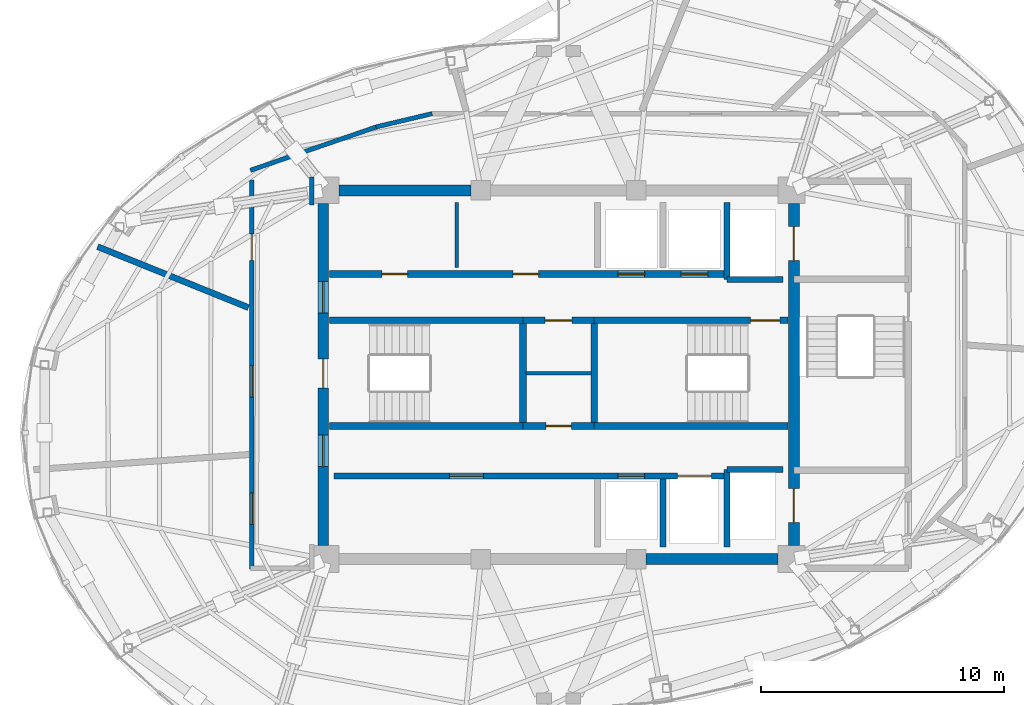
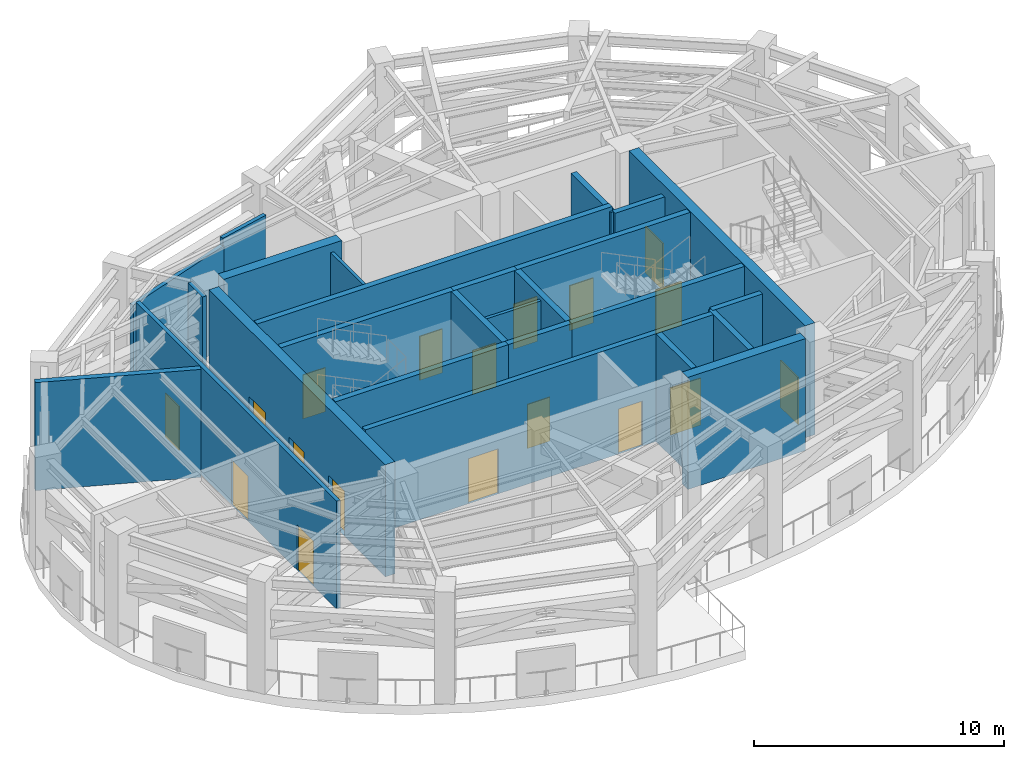
# One storey, part 7 of 12: 26 walls, 18 doors, 18 openings.
"""IFC4 building model written with IfcOpenShell, lengths in metres."""

from ifc_helpers import new_model, si_unit, direction, frame, frame_2d, origin, place, context, subcontext, project, spatial, rectangle, extrude, material, layer, layer_set, type_object, element, fill, save


model = new_model("IFC4")

# Units and contexts
model_context = context("Model", 3, precision=1e-05, world=origin(), true_north=direction((0.0, 1.0)))
body_context = subcontext(model_context, "Body", "Model", "MODEL_VIEW")
ifc_project = project(units=[si_unit("LENGTHUNIT", "METRE"), si_unit("AREAUNIT", "SQUARE_METRE"), si_unit("VOLUMEUNIT", "CUBIC_METRE"), si_unit("PLANEANGLEUNIT", "RADIAN"), si_unit("MASSUNIT", "GRAM", prefix="KILO")], contexts=[model_context])

# Site, building, storey
site_placement = place(None, origin())
site = spatial("IfcSite", under=ifc_project, at=site_placement, CompositionType="ELEMENT")
building_placement = place(site_placement, origin())
building = spatial("IfcBuilding", under=site, at=building_placement, Name="Lazwardi Medical Tower", CompositionType="ELEMENT")
storey_placement = place(building_placement, frame((0.0, 0.0, 245.904052734375)))
storey = spatial("IfcBuildingStorey", under=building, at=storey_placement, Name="L64", CompositionType="ELEMENT", Elevation=245.904052734375)

# Walls
ifc_material_1 = material(Name="Fire-rated gypsum board on steel stud", Category="steel")
ifc_layer_1 = layer(ifc_material_1, 0.179931640625)
ifc_layer_set_1 = layer_set([ifc_layer_1], Name="Fire-rated gypsum board on steel stud")
wall_type_1 = type_object("IfcWallType", Name="WL-COR-180", PredefinedType="PARTITIONING", material=ifc_layer_set_1)
wall_1_placement = place(storey_placement, frame((23.294189453125, 36.422119140625, 0.0), z_axis=(0.0, 0.0, 1.0), x_axis=(0.945493277461, 0.325641616316, 0.0)))
element("IfcWall", 1, at=wall_1_placement, inside=storey, type_object=wall_type_1, Name="L64 Corridor partition 1", PredefinedType="PARTITIONING", context=body_context, shape_type="SweptSolid", body=[
    extrude(rectangle(XDim=5.5615234375, YDim=0.179931640625, at=frame_2d((2.78076171875, 0.0))), origin(), (0.0, 0.0, 1.0), 4.89697265625),
])
wall_2_placement = place(storey_placement, frame((28.475830078125, 38.2109375, 0.0), z_axis=(0.0, 0.0, 1.0), x_axis=(0.973030562203, 0.230676234189, 0.0)))
element("IfcWall", 2, at=wall_2_placement, inside=storey, type_object=wall_type_1, Name="L64 Corridor partition 2", PredefinedType="PARTITIONING", context=body_context, shape_type="SweptSolid", body=[
    extrude(rectangle(XDim=2.377197265625, YDim=0.179931640625, at=frame_2d((1.1884765625, 0.0))), origin(), (0.0, 0.0, 1.0), 5.27197265625),
])
wall_3_placement = place(storey_placement, frame((25.830078125, 36.139892578125, 0.0), z_axis=(0.0, 0.0, 1.0), x_axis=(0.0, -1.0, 0.0)))
element("IfcWall", 3, at=wall_3_placement, inside=storey, type_object=wall_type_1, Name="L64 Corridor partition 7", PredefinedType="PARTITIONING", context=body_context, shape_type="SweptSolid", body=[
    extrude(rectangle(XDim=1.14990234375, YDim=0.179931640625, at=frame_2d((0.574951171875, 0.0))), origin(), (0.0, 0.0, 1.0), 5.27197265625),
])

# Wall, openings, doors
wall_4_placement = place(storey_placement, frame((23.35009765625, 19.97998046875, 0.0), z_axis=(0.0, 0.0, 1.0), x_axis=(0.0, 1.0, 0.0)))
wall_4 = element("IfcWall", 4, at=wall_4_placement, inside=storey, type_object=wall_type_1, Name="L64 Corridor partition 10", PredefinedType="PARTITIONING", context=body_context, shape_type="SweptSolid", body=[
    extrude(rectangle(XDim=16.04248046875, YDim=0.179931640625, at=frame_2d((8.021240234375, 0.0))), origin(), (0.0, 0.0, 1.0), 5.27197265625),
])
opening_1_placement = place(wall_4_placement, frame((1.848388671875, 0.0, 0.0)))
opening_1 = element("IfcOpeningElement", 5, at=opening_1_placement, cuts=wall_4, Name="Opening D-L64-010", PredefinedType="OPENING", context=body_context, shape_type="SweptSolid", body=[
    extrude(rectangle(XDim=1.300048828125, YDim=2.199951171875, at=frame_2d((0.64990234375, 1.10009765625))), frame((0.0, 0.099853515625, 0.0), z_axis=(0.0, -1.0, 0.0), x_axis=(1.0, 0.0, 0.0)), (0.0, 0.0, 1.0), 0.199951171875),
])
opening_2_placement = place(wall_4_placement, frame((12.727294921875, 0.0, 0.0)))
opening_2 = element("IfcOpeningElement", 6, at=opening_2_placement, cuts=wall_4, Name="Opening D-L64-016", PredefinedType="OPENING", context=body_context, shape_type="SweptSolid", body=[
    extrude(rectangle(XDim=1.10009765625, YDim=2.14990234375, at=frame_2d((0.550048828125, 1.074951171875))), frame((0.0, 0.099853515625, 0.0), z_axis=(0.0, -1.0, 0.0), x_axis=(1.0, 0.0, 0.0)), (0.0, 0.0, 1.0), 0.199951171875),
])
opening_3_placement = place(wall_4_placement, frame((7.09423828125, 0.0, 0.0)))
opening_3 = element("IfcOpeningElement", 7, at=opening_3_placement, cuts=wall_4, Name="Opening D-L64-017", PredefinedType="OPENING", context=body_context, shape_type="SweptSolid", body=[
    extrude(rectangle(XDim=1.300048828125, YDim=2.199951171875, at=frame_2d((0.64990234375, 1.10009765625))), frame((0.0, 0.099853515625, 0.0), z_axis=(0.0, -1.0, 0.0), x_axis=(1.0, 0.0, 0.0)), (0.0, 0.0, 1.0), 0.199951171875),
])
ifc_material_2 = material(Name="Fire-rated steel leaf and frame", Category="steel")
door_type_1 = type_object("IfcDoorType", Name="DR-FFL-1300", OperationType="NOTDEFINED", PredefinedType="DOOR", material=ifc_material_2)
door_1_placement = place(opening_1_placement, origin())
door_1 = element("IfcDoor", 8, at=door_1_placement, inside=storey, type_object=door_type_1, Name="L64 Area of Refuge Door 01", OperationType="SINGLE_SWING_RIGHT", OverallHeight=2.199951171875, OverallWidth=1.300048828125, PredefinedType="DOOR", context=body_context, shape_type="SweptSolid", body=[
    extrude(rectangle(XDim=1.300048828125, YDim=2.199951171875, at=frame_2d((0.64990234375, 1.10009765625))), frame((0.0, 0.02490234375, 0.0), z_axis=(0.0, -1.0, 0.0), x_axis=(1.0, 0.0, 0.0)), (0.0, 0.0, 1.0), 0.050048828125),
])
fill(opening_1, door_1)
door_2_placement = place(opening_3_placement, origin())
door_2 = element("IfcDoor", 9, at=door_2_placement, inside=storey, type_object=door_type_1, Name="L64 Area of Refuge Door 08", OperationType="SINGLE_SWING_LEFT", OverallHeight=2.199951171875, OverallWidth=1.300048828125, PredefinedType="DOOR", context=body_context, shape_type="SweptSolid", body=[
    extrude(rectangle(XDim=1.300048828125, YDim=2.199951171875, at=frame_2d((0.64990234375, 1.10009765625))), frame((0.0, 0.02490234375, 0.0), z_axis=(0.0, -1.0, 0.0), x_axis=(1.0, 0.0, 0.0)), (0.0, 0.0, 1.0), 0.050048828125),
])
fill(opening_3, door_2)
door_type_2 = type_object("IfcDoorType", Name="DR-PLT-1100", OperationType="NOTDEFINED", PredefinedType="DOOR", material=ifc_material_2)
door_3_placement = place(opening_2_placement, origin())
door_3 = element("IfcDoor", 10, at=door_3_placement, inside=storey, type_object=door_type_2, Name="L64 Electrical Switchroom Door 07", OperationType="SINGLE_SWING_RIGHT", OverallHeight=2.14990234375, OverallWidth=1.10009765625, PredefinedType="DOOR", context=body_context, shape_type="SweptSolid", body=[
    extrude(rectangle(XDim=1.10009765625, YDim=2.14990234375, at=frame_2d((0.550048828125, 1.074951171875))), frame((0.0, 0.02490234375, 0.0), z_axis=(0.0, -1.0, 0.0), x_axis=(1.0, 0.0, 0.0)), (0.0, 0.0, 1.0), 0.050048828125),
])
fill(opening_2, door_3)

ifc_material_3 = material(Name="Concrete C60/75", Category="concrete")
ifc_layer_2 = layer(ifc_material_3, 0.449951171875)
ifc_layer_set_2 = layer_set([ifc_layer_2], Name="Concrete C60/75")
wall_type_2 = type_object("IfcWallType", Name="WL-CORE-450", PredefinedType="SHEAR", material=ifc_layer_set_2)
wall_5_placement = place(storey_placement, frame((26.300048828125, 20.949951171875, 0.0), z_axis=(0.0, 0.0, 1.0), x_axis=(0.0, 1.0, 0.0)))
wall_5 = element("IfcWall", 11, at=wall_5_placement, inside=storey, type_object=wall_type_2, Name="Core wall CW-S4 west L64", PredefinedType="SHEAR", context=body_context, shape_type="SweptSolid", body=[
    extrude(rectangle(XDim=14.10009765625, YDim=0.449951171875, at=frame_2d((7.050048828125, 0.0))), origin(), (0.0, 0.0, 1.0), 5.471923828125),
])
opening_4_placement = place(wall_5_placement, frame((6.5, 0.0, 0.0)))
opening_4 = element("IfcOpeningElement", 12, at=opening_4_placement, cuts=wall_5, Name="Opening D-L64-018", PredefinedType="OPENING", context=body_context, shape_type="SweptSolid", body=[
    extrude(rectangle(XDim=1.199951171875, YDim=2.14990234375, at=frame_2d((0.60009765625, 1.074951171875))), frame((0.0, 0.23486328125, 0.0), z_axis=(0.0, -1.0, 0.0), x_axis=(1.0, 0.0, 0.0)), (0.0, 0.0, 1.0), 0.469970703125),
])
opening_5_placement = place(wall_5_placement, frame((9.60009765625, 0.0, 0.0)))
opening_5 = element("IfcOpeningElement", 13, at=opening_5_placement, cuts=wall_5, Name="Opening D-L64-008", PredefinedType="OPENING", context=body_context, shape_type="SweptSolid", body=[
    extrude(rectangle(XDim=1.300048828125, YDim=2.199951171875, at=frame_2d((0.64990234375, 1.10009765625))), frame((0.0, 0.23486328125, 0.0), z_axis=(0.0, -1.0, 0.0), x_axis=(1.0, 0.0, 0.0)), (0.0, 0.0, 1.0), 0.469970703125),
])
opening_6_placement = place(wall_5_placement, frame((3.260009765625, 0.0, 0.0)))
opening_6 = element("IfcOpeningElement", 14, at=opening_6_placement, cuts=wall_5, Name="Opening D-L64-009", PredefinedType="OPENING", context=body_context, shape_type="SweptSolid", body=[
    extrude(rectangle(XDim=1.300048828125, YDim=2.199951171875, at=frame_2d((0.64990234375, 1.10009765625))), frame((0.0, 0.23486328125, 0.0), z_axis=(0.0, -1.0, 0.0), x_axis=(1.0, 0.0, 0.0)), (0.0, 0.0, 1.0), 0.469970703125),
])
door_4_placement = place(opening_5_placement, origin())
door_4 = element("IfcDoor", 15, at=door_4_placement, inside=storey, type_object=door_type_1, Name="L64 North Lift Lobby Door", OperationType="SINGLE_SWING_RIGHT", OverallHeight=2.199951171875, OverallWidth=1.300048828125, PredefinedType="DOOR", context=body_context, shape_type="SweptSolid", body=[
    extrude(rectangle(XDim=1.300048828125, YDim=2.199951171875, at=frame_2d((0.64990234375, 1.10009765625))), frame((0.0, 0.02490234375, 0.0), z_axis=(0.0, -1.0, 0.0), x_axis=(1.0, 0.0, 0.0)), (0.0, 0.0, 1.0), 0.050048828125),
])
fill(opening_5, door_4)
door_5_placement = place(opening_6_placement, origin())
door_5 = element("IfcDoor", 16, at=door_5_placement, inside=storey, type_object=door_type_1, Name="L64 South Lift Lobby Door", OperationType="SINGLE_SWING_LEFT", OverallHeight=2.199951171875, OverallWidth=1.300048828125, PredefinedType="DOOR", context=body_context, shape_type="SweptSolid", body=[
    extrude(rectangle(XDim=1.300048828125, YDim=2.199951171875, at=frame_2d((0.64990234375, 1.10009765625))), frame((0.0, 0.02490234375, 0.0), z_axis=(0.0, -1.0, 0.0), x_axis=(1.0, 0.0, 0.0)), (0.0, 0.0, 1.0), 0.050048828125),
])
fill(opening_6, door_5)
door_type_3 = type_object("IfcDoorType", Name="DR-STR-1200", OperationType="NOTDEFINED", PredefinedType="DOOR", material=ifc_material_2)
door_6_placement = place(opening_4_placement, origin())
door_6 = element("IfcDoor", 17, at=door_6_placement, inside=storey, type_object=door_type_3, Name="L64 Exit Stair ST1 Door", OperationType="SINGLE_SWING_RIGHT", OverallHeight=2.14990234375, OverallWidth=1.199951171875, PredefinedType="DOOR", context=body_context, shape_type="SweptSolid", body=[
    extrude(rectangle(XDim=1.199951171875, YDim=2.14990234375, at=frame_2d((0.60009765625, 1.074951171875))), frame((0.0, 0.02490234375, 0.0), z_axis=(0.0, -1.0, 0.0), x_axis=(1.0, 0.0, 0.0)), (0.0, 0.0, 1.0), 0.050048828125),
])
fill(opening_4, door_6)

wall_6_placement = place(storey_placement, frame((45.699951171875, 20.949951171875, 0.0), z_axis=(0.0, 0.0, 1.0), x_axis=(0.0, 1.0, 0.0)))
wall_6 = element("IfcWall", 18, at=wall_6_placement, inside=storey, type_object=wall_type_2, Name="Core wall CW-S4 east L64", PredefinedType="SHEAR", context=body_context, shape_type="SweptSolid", body=[
    extrude(rectangle(XDim=14.10009765625, YDim=0.449951171875, at=frame_2d((7.050048828125, 0.0))), origin(), (0.0, 0.0, 1.0), 5.471923828125),
])
opening_7_placement = place(wall_6_placement, frame((11.75, 0.0, 0.0)))
opening_7 = element("IfcOpeningElement", 19, at=opening_7_placement, cuts=wall_6, Name="Opening LD-L64-001", PredefinedType="OPENING", context=body_context, shape_type="SweptSolid", body=[
    extrude(rectangle(XDim=1.39990234375, YDim=2.300048828125, at=frame_2d((0.699951171875, 1.14990234375))), frame((0.0, 0.23486328125, 0.0), z_axis=(0.0, -1.0, 0.0), x_axis=(1.0, 0.0, 0.0)), (0.0, 0.0, 1.0), 0.469970703125),
])
opening_8_placement = place(wall_6_placement, frame((0.949951171875, 0.0, 0.0)))
opening_8 = element("IfcOpeningElement", 20, at=opening_8_placement, cuts=wall_6, Name="Opening LD-L64-002", PredefinedType="OPENING", context=body_context, shape_type="SweptSolid", body=[
    extrude(rectangle(XDim=1.39990234375, YDim=2.300048828125, at=frame_2d((0.699951171875, 1.14990234375))), frame((0.0, 0.23486328125, 0.0), z_axis=(0.0, -1.0, 0.0), x_axis=(1.0, 0.0, 0.0)), (0.0, 0.0, 1.0), 0.469970703125),
])
ifc_material_4 = material(Name="Brushed stainless steel bed-lift landing door", Category="steel")
door_type_4 = type_object("IfcDoorType", Name="DR-LFT-1400", OperationType="NOTDEFINED", PredefinedType="DOOR", material=ifc_material_4)
door_7_placement = place(opening_7_placement, origin())
door_7 = element("IfcDoor", 21, at=door_7_placement, inside=storey, type_object=door_type_4, Name="L64 Lift Landing Door FL-01", OperationType="SLIDING_TO_LEFT", OverallHeight=2.300048828125, OverallWidth=1.39990234375, PredefinedType="DOOR", context=body_context, shape_type="SweptSolid", body=[
    extrude(rectangle(XDim=1.39990234375, YDim=2.300048828125, at=frame_2d((0.699951171875, 1.14990234375))), frame((0.0, 0.02490234375, 0.0), z_axis=(0.0, -1.0, 0.0), x_axis=(1.0, 0.0, 0.0)), (0.0, 0.0, 1.0), 0.050048828125),
])
fill(opening_7, door_7)
door_8_placement = place(opening_8_placement, origin())
door_8 = element("IfcDoor", 22, at=door_8_placement, inside=storey, type_object=door_type_4, Name="L64 Lift Landing Door FL-02", OperationType="SLIDING_TO_LEFT", OverallHeight=2.300048828125, OverallWidth=1.39990234375, PredefinedType="DOOR", context=body_context, shape_type="SweptSolid", body=[
    extrude(rectangle(XDim=1.39990234375, YDim=2.300048828125, at=frame_2d((0.699951171875, 1.14990234375))), frame((0.0, 0.02490234375, 0.0), z_axis=(0.0, -1.0, 0.0), x_axis=(1.0, 0.0, 0.0)), (0.0, 0.0, 1.0), 0.050048828125),
])
fill(opening_8, door_8)

# Walls
for number, where, z_axis, x_axis, name in (
    (23, (26.949951171875, 35.60009765625, 0.0), (0.0, 0.0, 1.0), (1.0, 0.0, 0.0), "Core wall CW-S4 N1 L64"),
    (24, (39.60009765625, 20.39990234375, 0.0), (0.0, 0.0, 1.0), (1.0, 0.0, 0.0), "Core wall CW-S4 S3 L64"),
):
    element("IfcWall", number, at=place(storey_placement, frame(where, z_axis=z_axis, x_axis=x_axis)), inside=storey, type_object=wall_type_2, Name=name, PredefinedType="SHEAR", context=body_context, shape_type="SweptSolid", body=[
        extrude(rectangle(XDim=5.449951171875, YDim=0.449951171875, at=frame_2d((2.72509765625, 0.0))), origin(), (0.0, 0.0, 1.0), 5.471923828125),
    ])

# Wall, openings, doors
ifc_material_5 = material(Name="Autoclaved aerated concrete blockwork", Category="masonry")
ifc_layer_3 = layer(ifc_material_5, 0.25)
ifc_layer_set_3 = layer_set([ifc_layer_3], Name="Autoclaved aerated concrete blockwork")
wall_type_3 = type_object("IfcWallType", Name="WL-SHAFT-250", PredefinedType="SOLIDWALL", material=ifc_layer_set_3)
wall_7_placement = place(storey_placement, frame((26.75, 23.830078125, 0.0), z_axis=(0.0, 0.0, 1.0), x_axis=(1.0, 0.0, 0.0)))
wall_7 = element("IfcWall", 25, at=wall_7_placement, inside=storey, type_object=wall_type_3, Name="L64 South lift bank front wall", PredefinedType="SOLIDWALL", context=body_context, shape_type="SweptSolid", body=[
    extrude(rectangle(XDim=16.199951171875, YDim=0.25, at=frame_2d((8.10009765625, 0.0))), origin(), (0.0, 0.0, 1.0), 5.27197265625),
])
opening_9_placement = place(wall_7_placement, frame((4.75, 0.0, 0.0)))
opening_9 = element("IfcOpeningElement", 26, at=opening_9_placement, cuts=wall_7, Name="Opening D-L64-005", PredefinedType="OPENING", context=body_context, shape_type="SweptSolid", body=[
    extrude(rectangle(XDim=1.39990234375, YDim=2.199951171875, at=frame_2d((0.699951171875, 1.10009765625))), frame((0.0, 0.135009765625, 0.0), z_axis=(0.0, -1.0, 0.0), x_axis=(1.0, 0.0, 0.0)), (0.0, 0.0, 1.0), 0.27001953125),
])
opening_10_placement = place(wall_7_placement, frame((11.699951171875, 0.0, 0.0)))
opening_10 = element("IfcOpeningElement", 27, at=opening_10_placement, cuts=wall_7, Name="Opening LD-L64-006", PredefinedType="OPENING", context=body_context, shape_type="SweptSolid", body=[
    extrude(rectangle(XDim=1.10009765625, YDim=2.199951171875, at=frame_2d((0.550048828125, 1.10009765625))), frame((0.0, 0.135009765625, 0.0), z_axis=(0.0, -1.0, 0.0), x_axis=(1.0, 0.0, 0.0)), (0.0, 0.0, 1.0), 0.27001953125),
])
opening_11_placement = place(wall_7_placement, frame((14.14990234375, 0.0, 0.0)))
opening_11 = element("IfcOpeningElement", 28, at=opening_11_placement, cuts=wall_7, Name="Opening LD-L64-003", PredefinedType="OPENING", context=body_context, shape_type="SweptSolid", body=[
    extrude(rectangle(XDim=1.39990234375, YDim=2.300048828125, at=frame_2d((0.699951171875, 1.14990234375))), frame((0.0, 0.135009765625, 0.0), z_axis=(0.0, -1.0, 0.0), x_axis=(1.0, 0.0, 0.0)), (0.0, 0.0, 1.0), 0.27001953125),
])
ifc_material_6 = material(Name="Anti-microbial laminate hospital leaf")
door_type_5 = type_object("IfcDoorType", Name="DR-BED-1400", OperationType="NOTDEFINED", PredefinedType="DOOR", material=ifc_material_6)
door_9_placement = place(opening_9_placement, origin())
door_9 = element("IfcDoor", 29, at=door_9_placement, inside=storey, type_object=door_type_5, Name="L64 Core Dialysis Door", OperationType="SINGLE_SWING_RIGHT", OverallHeight=2.199951171875, OverallWidth=1.39990234375, PredefinedType="DOOR", context=body_context, shape_type="SweptSolid", body=[
    extrude(rectangle(XDim=1.39990234375, YDim=2.199951171875, at=frame_2d((0.699951171875, 1.10009765625))), frame((0.0, 0.02490234375, 0.0), z_axis=(0.0, -1.0, 0.0), x_axis=(1.0, 0.0, 0.0)), (0.0, 0.0, 1.0), 0.050048828125),
])
fill(opening_9, door_9)
ifc_material_7 = material(Name="Brushed bronze stainless steel landing door", Category="steel")
door_type_6 = type_object("IfcDoorType", Name="DR-LFT-1100", OperationType="NOTDEFINED", PredefinedType="DOOR", material=ifc_material_7)
door_10_placement = place(opening_10_placement, origin())
door_10 = element("IfcDoor", 30, at=door_10_placement, inside=storey, type_object=door_type_6, Name="L64 Lift Landing Door PL-11", OperationType="SLIDING_TO_LEFT", OverallHeight=2.199951171875, OverallWidth=1.10009765625, PredefinedType="DOOR", context=body_context, shape_type="SweptSolid", body=[
    extrude(rectangle(XDim=1.10009765625, YDim=2.199951171875, at=frame_2d((0.550048828125, 1.10009765625))), frame((0.0, 0.02490234375, 0.0), z_axis=(0.0, -1.0, 0.0), x_axis=(1.0, 0.0, 0.0)), (0.0, 0.0, 1.0), 0.050048828125),
])
fill(opening_10, door_10)
door_11_placement = place(opening_11_placement, origin())
door_11 = element("IfcDoor", 31, at=door_11_placement, inside=storey, type_object=door_type_4, Name="L64 Lift Landing Door FL-03", OperationType="SLIDING_TO_LEFT", OverallHeight=2.300048828125, OverallWidth=1.39990234375, PredefinedType="DOOR", context=body_context, shape_type="SweptSolid", body=[
    extrude(rectangle(XDim=1.39990234375, YDim=2.300048828125, at=frame_2d((0.699951171875, 1.14990234375))), frame((0.0, 0.02490234375, 0.0), z_axis=(0.0, -1.0, 0.0), x_axis=(1.0, 0.0, 0.0)), (0.0, 0.0, 1.0), 0.050048828125),
])
fill(opening_11, door_11)

# Walls
wall_8_placement = place(storey_placement, frame((42.949951171875, 31.919921875, 0.0), z_axis=(0.0, 0.0, 1.0), x_axis=(0.0, 1.0, 0.0)))
element("IfcWall", 32, at=wall_8_placement, inside=storey, type_object=wall_type_3, Name="L64 FL-01 West shaft wall", PredefinedType="SOLIDWALL", context=body_context, shape_type="SweptSolid", body=[
    extrude(rectangle(XDim=3.18017578125, YDim=0.25, at=frame_2d((1.590087890625, 0.0))), origin(), (0.0, 0.0, 1.0), 5.27197265625),
])
wall_9_placement = place(storey_placement, frame((42.949951171875, 31.919921875, 0.0), z_axis=(0.0, 0.0, 1.0), x_axis=(1.0, 0.0, 0.0)))
element("IfcWall", 33, at=wall_9_placement, inside=storey, type_object=wall_type_3, Name="L64 FL-01 South shaft wall", PredefinedType="SOLIDWALL", context=body_context, shape_type="SweptSolid", body=[
    extrude(rectangle(XDim=2.300048828125, YDim=0.25, at=frame_2d((1.14990234375, 0.0))), origin(), (0.0, 0.0, 1.0), 5.27197265625),
])
wall_10_placement = place(storey_placement, frame((42.949951171875, 20.89990234375, 0.0), z_axis=(0.0, 0.0, 1.0), x_axis=(0.0, 1.0, 0.0)))
element("IfcWall", 34, at=wall_10_placement, inside=storey, type_object=wall_type_3, Name="L64 FL-02 West shaft wall", PredefinedType="SOLIDWALL", context=body_context, shape_type="SweptSolid", body=[
    extrude(rectangle(XDim=3.2001953125, YDim=0.25, at=frame_2d((1.60009765625, 0.0))), origin(), (0.0, 0.0, 1.0), 5.27197265625),
])
wall_11_placement = place(storey_placement, frame((42.949951171875, 24.10009765625, 0.0), z_axis=(0.0, 0.0, 1.0), x_axis=(1.0, 0.0, 0.0)))
element("IfcWall", 35, at=wall_11_placement, inside=storey, type_object=wall_type_3, Name="L64 FL-02 North shaft wall", PredefinedType="SOLIDWALL", context=body_context, shape_type="SweptSolid", body=[
    extrude(rectangle(XDim=2.300048828125, YDim=0.25, at=frame_2d((1.14990234375, 0.0))), origin(), (0.0, 0.0, 1.0), 5.27197265625),
])
wall_12_placement = place(storey_placement, frame((40.300048828125, 20.89990234375, 0.0), z_axis=(0.0, 0.0, 1.0), x_axis=(0.0, 1.0, 0.0)))
element("IfcWall", 36, at=wall_12_placement, inside=storey, type_object=wall_type_3, Name="L64 South hoistway divider", PredefinedType="SOLIDWALL", context=body_context, shape_type="SweptSolid", body=[
    extrude(rectangle(XDim=2.800048828125, YDim=0.25, at=frame_2d((1.39990234375, 0.0))), origin(), (0.0, 0.0, 1.0), 5.27197265625),
])
wall_13_placement = place(storey_placement, frame((23.21630859375, 30.764892578125, 0.0), z_axis=(0.0, 0.0, 1.0), x_axis=(-0.927177883422, 0.374621372179, 0.0)))
element("IfcWall", 37, at=wall_13_placement, inside=storey, type_object=wall_type_3, Name="L64 Room partition 7", PredefinedType="SOLIDWALL", context=body_context, shape_type="SweptSolid", body=[
    extrude(rectangle(XDim=6.705322265625, YDim=0.25, at=frame_2d((3.3525390625, 0.0))), origin(), (0.0, 0.0, 1.0), 5.27197265625),
])
ifc_material_8 = material(Name="Concrete C50/60", Category="concrete")
ifc_layer_4 = layer(ifc_material_8, 0.27001953125)
ifc_layer_set_4 = layer_set([ifc_layer_4], Name="Concrete C50/60")
wall_type_4 = type_object("IfcWallType", Name="WL-STR-250", PredefinedType="SHEAR", material=ifc_layer_set_4)
wall_14_placement = place(storey_placement, frame((26.550048828125, 30.235107421875, 0.0), z_axis=(0.0, 0.0, 1.0), x_axis=(1.0, 0.0, 0.0)))
element("IfcWall", 38, at=wall_14_placement, inside=storey, type_object=wall_type_4, Name="L64 ST1 North shear shaft wall SW-S1", PredefinedType="SHEAR", context=body_context, shape_type="SweptSolid", body=[
    extrude(rectangle(XDim=7.98486328125, YDim=0.27001953125, at=frame_2d((3.992431640625, 0.0))), origin(), (0.0, 0.0, 1.0), 5.471923828125),
])

# Wall, opening, door
wall_15_placement = place(storey_placement, frame((34.534912109375, 30.235107421875, 0.0), z_axis=(0.0, 0.0, 1.0), x_axis=(1.0, 0.0, 0.0)))
wall_15 = element("IfcWall", 39, at=wall_15_placement, inside=storey, type_object=wall_type_4, Name="L64 Core service North shear wall SW-S1", PredefinedType="SHEAR", context=body_context, shape_type="SweptSolid", body=[
    extrude(rectangle(XDim=2.93017578125, YDim=0.27001953125, at=frame_2d((1.465087890625, 0.0))), origin(), (0.0, 0.0, 1.0), 5.471923828125),
])
opening_12_placement = place(wall_15_placement, frame((0.9150390625, 0.0, 0.0)))
opening_12 = element("IfcOpeningElement", 40, at=opening_12_placement, cuts=wall_15, Name="Opening D-L64-002", PredefinedType="OPENING", context=body_context, shape_type="SweptSolid", body=[
    extrude(rectangle(XDim=1.10009765625, YDim=2.14990234375, at=frame_2d((0.550048828125, 1.074951171875))), frame((0.0, 0.14501953125, 0.0), z_axis=(0.0, -1.0, 0.0), x_axis=(1.0, 0.0, 0.0)), (0.0, 0.0, 1.0), 0.2900390625),
])
door_12_placement = place(opening_12_placement, origin())
door_12 = element("IfcDoor", 41, at=door_12_placement, inside=storey, type_object=door_type_2, Name="L64 Electrical Room Door", OperationType="SINGLE_SWING_LEFT", OverallHeight=2.14990234375, OverallWidth=1.10009765625, PredefinedType="DOOR", context=body_context, shape_type="SweptSolid", body=[
    extrude(rectangle(XDim=1.10009765625, YDim=2.14990234375, at=frame_2d((0.550048828125, 1.074951171875))), frame((0.0, 0.02490234375, 0.0), z_axis=(0.0, -1.0, 0.0), x_axis=(1.0, 0.0, 0.0)), (0.0, 0.0, 1.0), 0.050048828125),
])
fill(opening_12, door_12)

wall_16_placement = place(storey_placement, frame((37.465087890625, 30.235107421875, 0.0), z_axis=(0.0, 0.0, 1.0), x_axis=(1.0, 0.0, 0.0)))
wall_16 = element("IfcWall", 42, at=wall_16_placement, inside=storey, type_object=wall_type_4, Name="L64 ST2 North shear shaft wall SW-S1", PredefinedType="SHEAR", context=body_context, shape_type="SweptSolid", body=[
    extrude(rectangle(XDim=7.98486328125, YDim=0.27001953125, at=frame_2d((3.992431640625, 0.0))), origin(), (0.0, 0.0, 1.0), 5.471923828125),
])
opening_13_placement = place(wall_16_placement, frame((6.455078125, 0.0, 0.0)))
opening_13 = element("IfcOpeningElement", 43, at=opening_13_placement, cuts=wall_16, Name="Opening D-L64-019", PredefinedType="OPENING", context=body_context, shape_type="SweptSolid", body=[
    extrude(rectangle(XDim=1.199951171875, YDim=2.14990234375, at=frame_2d((0.60009765625, 1.074951171875))), frame((0.0, 0.14501953125, 0.0), z_axis=(0.0, -1.0, 0.0), x_axis=(1.0, 0.0, 0.0)), (0.0, 0.0, 1.0), 0.2900390625),
])
door_13_placement = place(opening_13_placement, origin())
door_13 = element("IfcDoor", 44, at=door_13_placement, inside=storey, type_object=door_type_3, Name="L64 Exit Stair ST2 Door", OperationType="SINGLE_SWING_LEFT", OverallHeight=2.14990234375, OverallWidth=1.199951171875, PredefinedType="DOOR", context=body_context, shape_type="SweptSolid", body=[
    extrude(rectangle(XDim=1.199951171875, YDim=2.14990234375, at=frame_2d((0.60009765625, 1.074951171875))), frame((0.0, 0.02490234375, 0.0), z_axis=(0.0, -1.0, 0.0), x_axis=(1.0, 0.0, 0.0)), (0.0, 0.0, 1.0), 0.050048828125),
])
fill(opening_13, door_13)

# Wall
wall_17_placement = place(storey_placement, frame((26.550048828125, 25.885009765625, 0.0), z_axis=(0.0, 0.0, 1.0), x_axis=(1.0, 0.0, 0.0)))
element("IfcWall", 45, at=wall_17_placement, inside=storey, type_object=wall_type_4, Name="L64 ST1 South shear shaft wall SW-S1", PredefinedType="SHEAR", context=body_context, shape_type="SweptSolid", body=[
    extrude(rectangle(XDim=7.98486328125, YDim=0.27001953125, at=frame_2d((3.992431640625, 0.0))), origin(), (0.0, 0.0, 1.0), 5.471923828125),
])

# Wall, opening, door
wall_18_placement = place(storey_placement, frame((34.534912109375, 25.885009765625, 0.0), z_axis=(0.0, 0.0, 1.0), x_axis=(1.0, 0.0, 0.0)))
wall_18 = element("IfcWall", 46, at=wall_18_placement, inside=storey, type_object=wall_type_4, Name="L64 Core service South shear wall SW-S1", PredefinedType="SHEAR", context=body_context, shape_type="SweptSolid", body=[
    extrude(rectangle(XDim=2.93017578125, YDim=0.27001953125, at=frame_2d((1.465087890625, 0.0))), origin(), (0.0, 0.0, 1.0), 5.471923828125),
])
opening_14_placement = place(wall_18_placement, frame((0.93994140625, 0.0, 0.0)))
opening_14 = element("IfcOpeningElement", 47, at=opening_14_placement, cuts=wall_18, Name="Opening D-L64-001", PredefinedType="OPENING", context=body_context, shape_type="SweptSolid", body=[
    extrude(rectangle(XDim=1.050048828125, YDim=2.14990234375, at=frame_2d((0.52490234375, 1.074951171875))), frame((0.0, 0.14501953125, 0.0), z_axis=(0.0, -1.0, 0.0), x_axis=(1.0, 0.0, 0.0)), (0.0, 0.0, 1.0), 0.2900390625),
])
door_type_7 = type_object("IfcDoorType", Name="DR-CLN-1050", OperationType="NOTDEFINED", PredefinedType="DOOR", material=ifc_material_6)
door_14_placement = place(opening_14_placement, origin())
door_14 = element("IfcDoor", 48, at=door_14_placement, inside=storey, type_object=door_type_7, Name="L64 Dirty Sluice Door", OperationType="SINGLE_SWING_RIGHT", OverallHeight=2.14990234375, OverallWidth=1.050048828125, PredefinedType="DOOR", context=body_context, shape_type="SweptSolid", body=[
    extrude(rectangle(XDim=1.050048828125, YDim=2.14990234375, at=frame_2d((0.52490234375, 1.074951171875))), frame((0.0, 0.02490234375, 0.0), z_axis=(0.0, -1.0, 0.0), x_axis=(1.0, 0.0, 0.0)), (0.0, 0.0, 1.0), 0.050048828125),
])
fill(opening_14, door_14)

# Walls
wall_19_placement = place(storey_placement, frame((37.465087890625, 25.885009765625, 0.0), z_axis=(0.0, 0.0, 1.0), x_axis=(1.0, 0.0, 0.0)))
element("IfcWall", 49, at=wall_19_placement, inside=storey, type_object=wall_type_4, Name="L64 ST2 South shear shaft wall SW-S1", PredefinedType="SHEAR", context=body_context, shape_type="SweptSolid", body=[
    extrude(rectangle(XDim=7.98486328125, YDim=0.27001953125, at=frame_2d((3.992431640625, 0.0))), origin(), (0.0, 0.0, 1.0), 5.471923828125),
])
for number, where, z_axis, x_axis, name in (
    (50, (34.534912109375, 26.02001953125, 0.0), (0.0, 0.0, 1.0), (0.0, 1.0, 0.0), "L64 ST1 East shear shaft wall SW-S1"),
    (51, (37.465087890625, 26.02001953125, 0.0), (0.0, 0.0, 1.0), (0.0, 1.0, 0.0), "L64 ST2 West shear shaft wall SW-S1"),
):
    element("IfcWall", number, at=place(storey_placement, frame(where, z_axis=z_axis, x_axis=x_axis)), inside=storey, type_object=wall_type_4, Name=name, PredefinedType="SHEAR", context=body_context, shape_type="SweptSolid", body=[
        extrude(rectangle(XDim=4.080078125, YDim=0.27001953125, at=frame_2d((2.0400390625, 0.0))), origin(), (0.0, 0.0, 1.0), 5.471923828125),
    ])

# Wall, openings, doors
wall_20_placement = place(storey_placement, frame((26.550048828125, 32.14990234375, 0.0), z_axis=(0.0, 0.0, 1.0), x_axis=(1.0, 0.0, 0.0)))
wall_20 = element("IfcWall", 52, at=wall_20_placement, inside=storey, type_object=wall_type_4, Name="L64 North lift bank shear wall SW-S1", PredefinedType="SHEAR", context=body_context, shape_type="SweptSolid", body=[
    extrude(rectangle(XDim=16.39990234375, YDim=0.27001953125, at=frame_2d((8.199951171875, 0.0))), origin(), (0.0, 0.0, 1.0), 5.471923828125),
])
opening_15_placement = place(wall_20_placement, frame((2.175048828125, 0.0, 0.0)))
opening_15 = element("IfcOpeningElement", 53, at=opening_15_placement, cuts=wall_20, Name="Opening D-L64-003", PredefinedType="OPENING", context=body_context, shape_type="SweptSolid", body=[
    extrude(rectangle(XDim=1.050048828125, YDim=2.14990234375, at=frame_2d((0.52490234375, 1.074951171875))), frame((0.0, 0.14501953125, 0.0), z_axis=(0.0, -1.0, 0.0), x_axis=(1.0, 0.0, 0.0)), (0.0, 0.0, 1.0), 0.2900390625),
])
opening_16_placement = place(wall_20_placement, frame((7.574951171875, 0.0, 0.0)))
opening_16 = element("IfcOpeningElement", 54, at=opening_16_placement, cuts=wall_20, Name="Opening D-L64-004", PredefinedType="OPENING", context=body_context, shape_type="SweptSolid", body=[
    extrude(rectangle(XDim=1.050048828125, YDim=2.14990234375, at=frame_2d((0.52490234375, 1.074951171875))), frame((0.0, 0.14501953125, 0.0), z_axis=(0.0, -1.0, 0.0), x_axis=(1.0, 0.0, 0.0)), (0.0, 0.0, 1.0), 0.2900390625),
])
opening_17_placement = place(wall_20_placement, frame((11.89990234375, 0.0, 0.0)))
opening_17 = element("IfcOpeningElement", 55, at=opening_17_placement, cuts=wall_20, Name="Opening LD-L64-004", PredefinedType="OPENING", context=body_context, shape_type="SweptSolid", body=[
    extrude(rectangle(XDim=1.10009765625, YDim=2.199951171875, at=frame_2d((0.550048828125, 1.10009765625))), frame((0.0, 0.14501953125, 0.0), z_axis=(0.0, -1.0, 0.0), x_axis=(1.0, 0.0, 0.0)), (0.0, 0.0, 1.0), 0.2900390625),
])
opening_18_placement = place(wall_20_placement, frame((14.5, 0.0, 0.0)))
opening_18 = element("IfcOpeningElement", 56, at=opening_18_placement, cuts=wall_20, Name="Opening LD-L64-005", PredefinedType="OPENING", context=body_context, shape_type="SweptSolid", body=[
    extrude(rectangle(XDim=1.10009765625, YDim=2.199951171875, at=frame_2d((0.550048828125, 1.10009765625))), frame((0.0, 0.14501953125, 0.0), z_axis=(0.0, -1.0, 0.0), x_axis=(1.0, 0.0, 0.0)), (0.0, 0.0, 1.0), 0.2900390625),
])
door_15_placement = place(opening_15_placement, origin())
door_15 = element("IfcDoor", 57, at=door_15_placement, inside=storey, type_object=door_type_7, Name="L64 Core Consult Door", OperationType="SINGLE_SWING_RIGHT", OverallHeight=2.14990234375, OverallWidth=1.050048828125, PredefinedType="DOOR", context=body_context, shape_type="SweptSolid", body=[
    extrude(rectangle(XDim=1.050048828125, YDim=2.14990234375, at=frame_2d((0.52490234375, 1.074951171875))), frame((0.0, 0.02490234375, 0.0), z_axis=(0.0, -1.0, 0.0), x_axis=(1.0, 0.0, 0.0)), (0.0, 0.0, 1.0), 0.050048828125),
])
fill(opening_15, door_15)
door_16_placement = place(opening_16_placement, origin())
door_16 = element("IfcDoor", 58, at=door_16_placement, inside=storey, type_object=door_type_7, Name="L64 Core Pharmacy Door", OperationType="SINGLE_SWING_LEFT", OverallHeight=2.14990234375, OverallWidth=1.050048828125, PredefinedType="DOOR", context=body_context, shape_type="SweptSolid", body=[
    extrude(rectangle(XDim=1.050048828125, YDim=2.14990234375, at=frame_2d((0.52490234375, 1.074951171875))), frame((0.0, 0.02490234375, 0.0), z_axis=(0.0, -1.0, 0.0), x_axis=(1.0, 0.0, 0.0)), (0.0, 0.0, 1.0), 0.050048828125),
])
fill(opening_16, door_16)
door_17_placement = place(opening_17_placement, origin())
door_17 = element("IfcDoor", 59, at=door_17_placement, inside=storey, type_object=door_type_6, Name="L64 Lift Landing Door PL-09", OperationType="SLIDING_TO_LEFT", OverallHeight=2.199951171875, OverallWidth=1.10009765625, PredefinedType="DOOR", context=body_context, shape_type="SweptSolid", body=[
    extrude(rectangle(XDim=1.10009765625, YDim=2.199951171875, at=frame_2d((0.550048828125, 1.10009765625))), frame((0.0, 0.02490234375, 0.0), z_axis=(0.0, -1.0, 0.0), x_axis=(1.0, 0.0, 0.0)), (0.0, 0.0, 1.0), 0.050048828125),
])
fill(opening_17, door_17)
door_18_placement = place(opening_18_placement, origin())
door_18 = element("IfcDoor", 60, at=door_18_placement, inside=storey, type_object=door_type_6, Name="L64 Lift Landing Door PL-10", OperationType="SLIDING_TO_LEFT", OverallHeight=2.199951171875, OverallWidth=1.10009765625, PredefinedType="DOOR", context=body_context, shape_type="SweptSolid", body=[
    extrude(rectangle(XDim=1.10009765625, YDim=2.199951171875, at=frame_2d((0.550048828125, 1.10009765625))), frame((0.0, 0.02490234375, 0.0), z_axis=(0.0, -1.0, 0.0), x_axis=(1.0, 0.0, 0.0)), (0.0, 0.0, 1.0), 0.050048828125),
])
fill(opening_18, door_18)

# Walls
ifc_material_9 = material(Name="Acoustic gypsum board partition")
ifc_layer_5 = layer(ifc_material_9, 0.14990234375)
ifc_layer_set_5 = layer_set([ifc_layer_5], Name="Acoustic gypsum board partition")
wall_type_5 = type_object("IfcWallType", Name="WL-WRD-150", PredefinedType="PARTITIONING", material=ifc_layer_set_5)
wall_21_placement = place(storey_placement, frame((34.64990234375, 28.06005859375, 0.0), z_axis=(0.0, 0.0, 1.0), x_axis=(1.0, 0.0, 0.0)))
element("IfcWall", 61, at=wall_21_placement, inside=storey, type_object=wall_type_5, Name="L64 Core service divider", PredefinedType="PARTITIONING", context=body_context, shape_type="SweptSolid", body=[
    extrude(rectangle(XDim=2.7001953125, YDim=0.14990234375, at=frame_2d((1.35009765625, 0.0))), origin(), (0.0, 0.0, 1.0), 5.27197265625),
])
wall_22_placement = place(storey_placement, frame((31.800048828125, 32.419921875, 0.0), z_axis=(0.0, 0.0, 1.0), x_axis=(0.0, 1.0, 0.0)))
element("IfcWall", 62, at=wall_22_placement, inside=storey, type_object=wall_type_5, Name="L64 Freed bay2 N split", PredefinedType="PARTITIONING", context=body_context, shape_type="SweptSolid", body=[
    extrude(rectangle(XDim=2.68017578125, YDim=0.14990234375, at=frame_2d((1.340087890625, 0.0))), origin(), (0.0, 0.0, 1.0), 5.27197265625),
])

save(model, "model.ifc")
